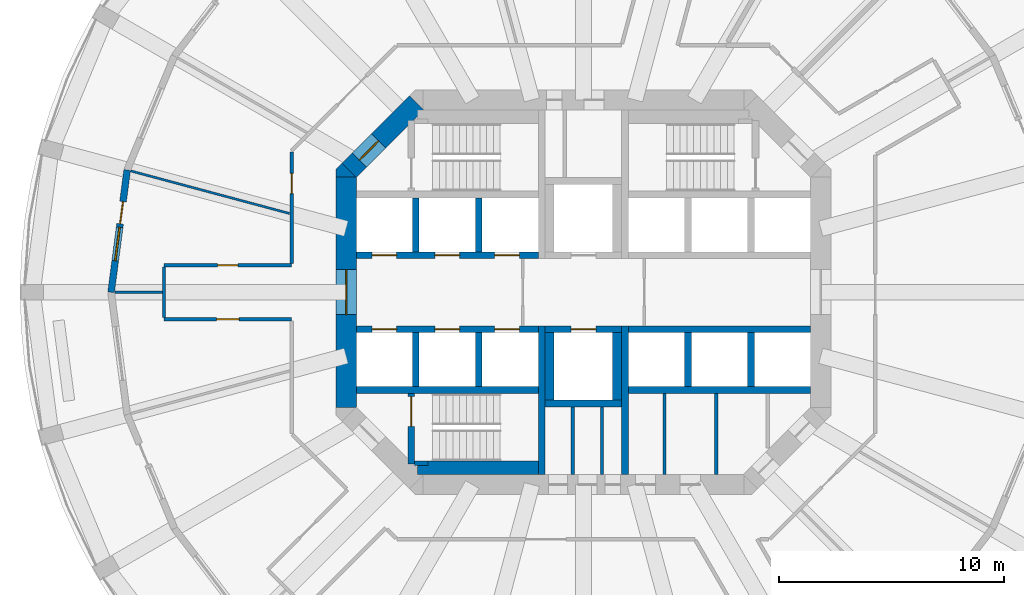
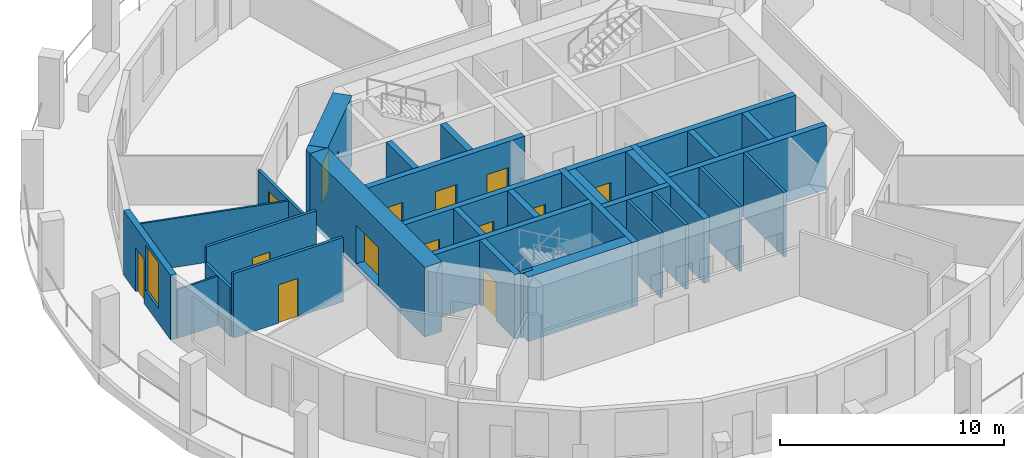
# One storey, part 3 of 8: 34 walls, 14 doors, 1 window, 15 openings.
"""IFC4 building model written with IfcOpenShell, lengths in metres."""

from ifc_helpers import new_model, si_unit, direction, frame, frame_2d, origin, place, context, subcontext, project, spatial, polyline, rectangle, outline, extrude, material, layer, layer_set, type_object, element, fill, save


model = new_model("IFC4")

# Units and contexts
model_context = context("Model", 3, precision=1e-05, world=origin(), true_north=direction((0.0, 1.0)))
body_context = subcontext(model_context, "Body", "Model", "MODEL_VIEW")
ifc_project = project(units=[si_unit("LENGTHUNIT", "METRE"), si_unit("AREAUNIT", "SQUARE_METRE"), si_unit("VOLUMEUNIT", "CUBIC_METRE"), si_unit("PLANEANGLEUNIT", "RADIAN"), si_unit("MASSUNIT", "GRAM", prefix="KILO")], contexts=[model_context])

# Site, building, storey
site_placement = place(None, origin())
site = spatial("IfcSite", under=ifc_project, at=site_placement, CompositionType="ELEMENT")
building_placement = place(site_placement, origin())
building = spatial("IfcBuilding", under=site, at=building_placement, Name="Torre Triforio", CompositionType="ELEMENT")
storey_placement = place(building_placement, frame((0.0, 0.0, 139.0)))
storey = spatial("IfcBuildingStorey", under=building, at=storey_placement, Name="L31", CompositionType="ELEMENT", Elevation=139.0)

# Walls
ifc_material_1 = material(Name="Concrete C60", Category="concrete")
ifc_layer_1 = layer(ifc_material_1, 0.300048828125)
ifc_layer_set_1 = layer_set([ifc_layer_1], Name="Concrete C60")
wall_type_1 = type_object("IfcWallType", Name="Core wall 300 mm C60 EI 120", PredefinedType="SHEAR", material=ifc_layer_set_1)
for number, where, z_axis, x_axis, name in (
    (1, (-1.85009765625, -8.10009765625, 0.0), (0.0, 0.0, 1.0), (0.0, 1.0, 0.0), "Core wall"),
    (2, (1.85009765625, -8.10009765625, 0.0), (0.0, 0.0, 1.0), (0.0, 1.0, 0.0), "Core wall"),
):
    element("IfcWall", number, at=place(storey_placement, frame(where, z_axis=z_axis, x_axis=x_axis)), inside=storey, type_object=wall_type_1, Name=name, PredefinedType="SHEAR", context=body_context, shape_type="SweptSolid", body=[
        extrude(rectangle(XDim=6.60009765625, YDim=0.300048828125, at=frame_2d((3.300048828125, 0.0))), origin(), (0.0, 0.0, 1.0), 3.52001953125),
    ])

# Wall, opening, door
ifc_layer_2 = layer(ifc_material_1, 0.89990234375)
ifc_layer_set_2 = layer_set([ifc_layer_2], Name="Concrete C60")
wall_type_2 = type_object("IfcWallType", Name="Core wall 900 mm C60 EI 120", PredefinedType="SHEAR", material=ifc_layer_set_2)
wall_1_placement = place(storey_placement, frame((-10.550048828125, -5.1298828125, -0.280029296875), z_axis=(0.0, 0.0, 1.0), x_axis=(0.0, 1.0, 0.0)))
wall_1 = element("IfcWall", 3, at=wall_1_placement, inside=storey, type_object=wall_type_2, Name="Core wall", PredefinedType="SHEAR", context=body_context, shape_type="SweptSolid", body=[
    extrude(rectangle(XDim=10.259765625, YDim=0.89990234375, at=frame_2d((5.1298828125, 0.0))), origin(), (0.0, 0.0, 1.0), 3.800048828125),
])
opening_1_placement = place(wall_1_placement, frame((4.1298828125, 0.0, 0.280029296875)))
opening_1 = element("IfcOpeningElement", 4, at=opening_1_placement, cuts=wall_1, Name="Opening W-RING", PredefinedType="OPENING", context=body_context, shape_type="SweptSolid", body=[
    extrude(rectangle(XDim=2.0, YDim=2.10009765625, at=frame_2d((1.0, 1.050048828125))), frame((0.0, 0.4599609375, 0.0), z_axis=(0.0, -1.0, 0.0), x_axis=(1.0, 0.0, 0.0)), (0.0, 0.0, 1.0), 0.919921875),
])
ifc_material_2 = material(Name="Hollow metal fire door leaf")
door_type_1 = type_object("IfcDoorType", Name="Lobby door 2000 x 2100 EI 60", OperationType="DOUBLE_DOOR_SINGLE_SWING", PredefinedType="DOOR", material=ifc_material_2)
door_1_placement = place(opening_1_placement, origin())
door_1 = element("IfcDoor", 5, at=door_1_placement, inside=storey, type_object=door_type_1, Name="Core door W-RING", OperationType="DOUBLE_DOOR_SINGLE_SWING", OverallHeight=2.10009765625, OverallWidth=2.0, PredefinedType="DOOR", context=body_context, shape_type="SweptSolid", body=[
    extrude(rectangle(XDim=2.0, YDim=2.10009765625, at=frame_2d((1.0, 1.050048828125))), frame((0.0, 0.02490234375, 0.0), z_axis=(0.0, -1.0, 0.0), x_axis=(1.0, 0.0, 0.0)), (0.0, 0.0, 1.0), 0.050048828125),
])
fill(opening_1, door_1)

wall_2_placement = place(storey_placement, frame((-10.418212890625, 5.418212890625, -0.280029296875), z_axis=(0.0, 0.0, 1.0), x_axis=(0.707106781187, 0.707106781187, 0.0)))
wall_2 = element("IfcWall", 6, at=wall_2_placement, inside=storey, type_object=wall_type_2, Name="Core wall", PredefinedType="SHEAR", context=body_context, shape_type="SweptSolid", body=[
    extrude(rectangle(XDim=4.24267578125, YDim=0.89990234375, at=frame_2d((2.121337890625, 0.0))), origin(), (0.0, 0.0, 1.0), 3.800048828125),
])
opening_2_placement = place(wall_2_placement, frame((0.64990234375, 0.0, 0.280029296875)))
opening_2 = element("IfcOpeningElement", 7, at=opening_2_placement, cuts=wall_2, Name="Opening ST1-EXIT", PredefinedType="OPENING", context=body_context, shape_type="SweptSolid", body=[
    extrude(rectangle(XDim=1.199951171875, YDim=2.10009765625, at=frame_2d((0.60009765625, 1.050048828125))), frame((0.0, 0.4599609375, 0.0), z_axis=(0.0, -1.0, 0.0), x_axis=(1.0, 0.0, 0.0)), (0.0, 0.0, 1.0), 0.919921875),
])
door_type_2 = type_object("IfcDoorType", Name="Stair lobby door 1200 x 2100 EI 60", OperationType="NOTDEFINED", PredefinedType="DOOR", material=ifc_material_2)
door_2_placement = place(opening_2_placement, origin())
door_2 = element("IfcDoor", 8, at=door_2_placement, inside=storey, type_object=door_type_2, Name="Core door ST1-EXIT", OperationType="SINGLE_SWING_RIGHT", OverallHeight=2.10009765625, OverallWidth=1.199951171875, PredefinedType="DOOR", context=body_context, shape_type="SweptSolid", body=[
    extrude(rectangle(XDim=1.199951171875, YDim=2.10009765625, at=frame_2d((0.60009765625, 1.050048828125))), frame((0.0, 0.02490234375, 0.0), z_axis=(0.0, -1.0, 0.0), x_axis=(1.0, 0.0, 0.0)), (0.0, 0.0, 1.0), 0.050048828125),
])
fill(opening_2, door_2)

# Wall
wall_3_placement = place(storey_placement, frame((0.0, 0.0, -0.280029296875)))
element("IfcWall", 9, at=wall_3_placement, inside=storey, type_object=wall_type_2, Name="Core wall", PredefinedType="SHEAR", context=body_context, shape_type="SweptSolid", body=[
    extrude(outline(polyline([(-10.736328125, 5.736328125), (-10.1298828125, 5.1298828125), (-11.0, 5.1298828125), (-11.0, 5.472900390625), (-10.736328125, 5.736328125)])), origin(), (0.0, 0.0, 1.0), 3.800048828125),
])

# Wall, opening, door
ifc_material_3 = material(Name="Plasterboard on metal studs")
ifc_layer_3 = layer(ifc_material_3, 0.14990234375)
ifc_layer_set_3 = layer_set([ifc_layer_3], Name="Plasterboard on metal studs")
wall_type_3 = type_object("IfcWallType", Name="Corridor and tenancy wall 150 mm EI 60", PredefinedType="PARTITIONING", material=ifc_layer_set_3)
wall_4_placement = place(storey_placement, frame((-12.97509765625, -1.199951171875, 0.0), z_axis=(0.0, 0.0, 1.0), x_axis=(-1.0, 0.0, 0.0)))
wall_4 = element("IfcWall", 10, at=wall_4_placement, inside=storey, type_object=wall_type_3, Name="Partition 4", PredefinedType="PARTITIONING", context=body_context, shape_type="SweptSolid", body=[
    extrude(rectangle(XDim=5.673583984375, YDim=0.14990234375, at=frame_2d((2.8369140625, 0.0))), origin(), (0.0, 0.0, 1.0), 3.52001953125),
])
opening_3_placement = place(wall_4_placement, frame((2.3369140625, 0.0, 0.0)))
opening_3 = element("IfcOpeningElement", 11, at=opening_3_placement, cuts=wall_4, Name="Opening D3-04", PredefinedType="OPENING", context=body_context, shape_type="SweptSolid", body=[
    extrude(rectangle(XDim=1.0, YDim=2.10009765625, at=frame_2d((0.5, 1.050048828125))), frame((0.0, 0.0849609375, 0.0), z_axis=(0.0, -1.0, 0.0), x_axis=(1.0, 0.0, 0.0)), (0.0, 0.0, 1.0), 0.169921875),
])
ifc_material_4 = material(Name="Timber", Category="wood")
door_type_3 = type_object("IfcDoorType", Name="Door 1000 x 2100 single leaf EI 30", OperationType="NOTDEFINED", PredefinedType="DOOR", material=ifc_material_4)
door_3_placement = place(opening_3_placement, origin())
door_3 = element("IfcDoor", 12, at=door_3_placement, inside=storey, type_object=door_type_3, Name="Door D3-04", OperationType="SINGLE_SWING_RIGHT", OverallHeight=2.10009765625, OverallWidth=1.0, PredefinedType="DOOR", context=body_context, shape_type="SweptSolid", body=[
    extrude(rectangle(XDim=1.0, YDim=2.10009765625, at=frame_2d((0.5, 1.050048828125))), frame((0.0, 0.02490234375, 0.0), z_axis=(0.0, -1.0, 0.0), x_axis=(1.0, 0.0, 0.0)), (0.0, 0.0, 1.0), 0.050048828125),
])
fill(opening_3, door_3)

# Wall
wall_5_placement = place(storey_placement, frame((-18.648681640625, -1.125, 0.0), z_axis=(0.0, 0.0, 1.0), x_axis=(0.0, 1.0, 0.0)))
element("IfcWall", 13, at=wall_5_placement, inside=storey, type_object=wall_type_3, Name="Partition 5", PredefinedType="PARTITIONING", context=body_context, shape_type="SweptSolid", body=[
    extrude(rectangle(XDim=2.25, YDim=0.14990234375, at=frame_2d((1.125, 0.0))), origin(), (0.0, 0.0, 1.0), 2.669921875),
])

# Wall, opening, door
wall_6_placement = place(storey_placement, frame((-18.648681640625, 1.199951171875, 0.0), z_axis=(0.0, 0.0, 1.0), x_axis=(1.0, 0.0, 0.0)))
wall_6 = element("IfcWall", 14, at=wall_6_placement, inside=storey, type_object=wall_type_3, Name="Partition 6", PredefinedType="PARTITIONING", context=body_context, shape_type="SweptSolid", body=[
    extrude(rectangle(XDim=5.673583984375, YDim=0.14990234375, at=frame_2d((2.8369140625, 0.0))), origin(), (0.0, 0.0, 1.0), 3.52001953125),
])
opening_4_placement = place(wall_6_placement, frame((2.386962890625, 0.0, 0.0)))
opening_4 = element("IfcOpeningElement", 15, at=opening_4_placement, cuts=wall_6, Name="Opening D3-03", PredefinedType="OPENING", context=body_context, shape_type="SweptSolid", body=[
    extrude(rectangle(XDim=0.89990234375, YDim=2.10009765625, at=frame_2d((0.449951171875, 1.050048828125))), frame((0.0, 0.0849609375, 0.0), z_axis=(0.0, -1.0, 0.0), x_axis=(1.0, 0.0, 0.0)), (0.0, 0.0, 1.0), 0.169921875),
])
door_type_4 = type_object("IfcDoorType", Name="Door 900 x 2100 single leaf EI 30", OperationType="NOTDEFINED", PredefinedType="DOOR", material=ifc_material_4)
door_4_placement = place(opening_4_placement, origin())
door_4 = element("IfcDoor", 16, at=door_4_placement, inside=storey, type_object=door_type_4, Name="Door D3-03", OperationType="SINGLE_SWING_RIGHT", OverallHeight=2.10009765625, OverallWidth=0.89990234375, PredefinedType="DOOR", context=body_context, shape_type="SweptSolid", body=[
    extrude(rectangle(XDim=0.89990234375, YDim=2.10009765625, at=frame_2d((0.449951171875, 1.050048828125))), frame((0.0, 0.02490234375, 0.0), z_axis=(0.0, -1.0, 0.0), x_axis=(1.0, 0.0, 0.0)), (0.0, 0.0, 1.0), 0.050048828125),
])
fill(opening_4, door_4)

wall_7_placement = place(storey_placement, frame((-12.97509765625, 1.27490234375, 0.0), z_axis=(0.0, 0.0, 1.0), x_axis=(0.0, 1.0, 0.0)))
wall_7 = element("IfcWall", 17, at=wall_7_placement, inside=storey, type_object=wall_type_3, Name="Partition 7", PredefinedType="PARTITIONING", context=body_context, shape_type="SweptSolid", body=[
    extrude(rectangle(XDim=4.96337890625, YDim=0.14990234375, at=frame_2d((2.481689453125, 0.0))), origin(), (0.0, 0.0, 1.0), 2.669921875),
])
opening_5_placement = place(wall_7_placement, frame((3.107421875, 0.0, 0.0)))
opening_5 = element("IfcOpeningElement", 18, at=opening_5_placement, cuts=wall_7, Name="Opening D3-02", PredefinedType="OPENING", context=body_context, shape_type="SweptSolid", body=[
    extrude(rectangle(XDim=0.89990234375, YDim=2.10009765625, at=frame_2d((0.449951171875, 1.050048828125))), frame((0.0, 0.0849609375, 0.0), z_axis=(0.0, -1.0, 0.0), x_axis=(1.0, 0.0, 0.0)), (0.0, 0.0, 1.0), 0.169921875),
])
door_5_placement = place(opening_5_placement, origin())
door_5 = element("IfcDoor", 19, at=door_5_placement, inside=storey, type_object=door_type_4, Name="Door D3-02", OperationType="SINGLE_SWING_LEFT", OverallHeight=2.10009765625, OverallWidth=0.89990234375, PredefinedType="DOOR", context=body_context, shape_type="SweptSolid", body=[
    extrude(rectangle(XDim=0.89990234375, YDim=2.10009765625, at=frame_2d((0.449951171875, 1.050048828125))), frame((0.0, 0.02490234375, 0.0), z_axis=(0.0, -1.0, 0.0), x_axis=(1.0, 0.0, 0.0)), (0.0, 0.0, 1.0), 0.050048828125),
])
fill(opening_5, door_5)

# Walls
ifc_layer_4 = layer(ifc_material_3, 0.10009765625)
ifc_layer_set_4 = layer_set([ifc_layer_4], Name="Plasterboard on metal studs")
wall_type_4 = type_object("IfcWallType", Name="Partition 100 mm board on metal studs", PredefinedType="PARTITIONING", material=ifc_layer_set_4)
wall_8_placement = place(storey_placement, frame((-13.064208984375, 3.50048828125, 0.0), z_axis=(0.0, 0.0, 1.0), x_axis=(-0.965927781613, 0.258811747624, 0.0)))
element("IfcWall", 20, at=wall_8_placement, inside=storey, type_object=wall_type_4, Name="Partition 36", PredefinedType="PARTITIONING", context=body_context, shape_type="SweptSolid", body=[
    extrude(rectangle(XDim=7.3115234375, YDim=0.10009765625, at=frame_2d((3.65576171875, 0.0))), origin(), (0.0, 0.0, 1.0), 2.669921875),
])
wall_9_placement = place(storey_placement, frame((-18.7236328125, 0.0, 0.0), z_axis=(0.0, 0.0, 1.0), x_axis=(-1.0, 0.0, 0.0)))
element("IfcWall", 21, at=wall_9_placement, inside=storey, type_object=wall_type_4, Name="Partition 37", PredefinedType="PARTITIONING", context=body_context, shape_type="SweptSolid", body=[
    extrude(rectangle(XDim=2.113037109375, YDim=0.10009765625, at=frame_2d((1.056640625, 0.0))), origin(), (0.0, 0.0, 1.0), 2.669921875),
])
ifc_material_5 = material(Name="Block and board partition")
ifc_layer_5 = layer(ifc_material_5, 0.14990234375)
ifc_layer_set_5 = layer_set([ifc_layer_5], Name="Block and board partition")
wall_type_5 = type_object("IfcWallType", Name="Partition 150 mm", PredefinedType="PARTITIONING", material=ifc_layer_set_5)
wall_10_placement = place(storey_placement, frame((-0.47509765625, -8.10009765625, 0.0), z_axis=(0.0, 0.0, 1.0), x_axis=(0.0, 1.0, 0.0)))
element("IfcWall", 22, at=wall_10_placement, inside=storey, type_object=wall_type_5, Name="Partition", PredefinedType="PARTITIONING", context=body_context, shape_type="SweptSolid", body=[
    extrude(rectangle(XDim=3.0, YDim=0.14990234375, at=frame_2d((1.5, 0.0))), origin(), (0.0, 0.0, 1.0), 3.52001953125),
])
for number, where, z_axis, x_axis, name in (
    (23, (3.60498046875, -8.10009765625, 0.0), (0.0, 0.0, 1.0), (0.0, 1.0, 0.0), "Partition"),
    (24, (5.89697265625, -8.10009765625, 0.0), (0.0, 0.0, 1.0), (0.0, 1.0, 0.0), "Partition"),
):
    element("IfcWall", number, at=place(storey_placement, frame(where, z_axis=z_axis, x_axis=x_axis)), inside=storey, type_object=wall_type_5, Name=name, PredefinedType="PARTITIONING", context=body_context, shape_type="SweptSolid", body=[
        extrude(rectangle(XDim=3.60009765625, YDim=0.14990234375, at=frame_2d((1.800048828125, 0.0))), origin(), (0.0, 0.0, 1.0), 3.52001953125),
    ])
ifc_layer_6 = layer(ifc_material_5, 0.14990234375)
ifc_layer_set_6 = layer_set([ifc_layer_6], Name="Block and board partition")
wall_type_6 = type_object("IfcWallType", Name="Partition 150 mm EI 120", PredefinedType="PARTITIONING", material=ifc_layer_set_6)
wall_11_placement = place(storey_placement, frame((0.824951171875, -8.10009765625, 0.0), z_axis=(0.0, 0.0, 1.0), x_axis=(0.0, 1.0, 0.0)))
element("IfcWall", 25, at=wall_11_placement, inside=storey, type_object=wall_type_6, Name="Partition", PredefinedType="PARTITIONING", context=body_context, shape_type="SweptSolid", body=[
    extrude(rectangle(XDim=3.0, YDim=0.14990234375, at=frame_2d((1.5, 0.0))), origin(), (0.0, 0.0, 1.0), 3.52001953125),
])
ifc_layer_7 = layer(ifc_material_1, 0.300048828125)
ifc_layer_set_7 = layer_set([ifc_layer_7], Name="Concrete C60")
wall_type_7 = type_object("IfcWallType", Name="Shaft wall 300 mm C60 EI 120", PredefinedType="SOLIDWALL", material=ifc_layer_set_7)
for number, where, z_axis, x_axis, name in (
    (26, (-10.10009765625, -4.35009765625, 0.0), (0.0, 0.0, 1.0), (1.0, 0.0, 0.0), "Shaft wall"),
    (27, (2.0, -4.35009765625, 0.0), (0.0, 0.0, 1.0), (1.0, 0.0, 0.0), "Shaft wall"),
):
    element("IfcWall", number, at=place(storey_placement, frame(where, z_axis=z_axis, x_axis=x_axis)), inside=storey, type_object=wall_type_7, Name=name, PredefinedType="SOLIDWALL", context=body_context, shape_type="SweptSolid", body=[
        extrude(rectangle(XDim=8.10009765625, YDim=0.300048828125, at=frame_2d((4.050048828125, 0.0))), origin(), (0.0, 0.0, 1.0), 3.52001953125),
    ])

# Wall, openings, doors
wall_12_placement = place(storey_placement, frame((-10.10009765625, 1.64990234375, 0.0), z_axis=(0.0, 0.0, 1.0), x_axis=(1.0, 0.0, 0.0)))
wall_12 = element("IfcWall", 28, at=wall_12_placement, inside=storey, type_object=wall_type_7, Name="Shaft wall", PredefinedType="SOLIDWALL", context=body_context, shape_type="SweptSolid", body=[
    extrude(rectangle(XDim=8.10009765625, YDim=0.300048828125, at=frame_2d((4.050048828125, 0.0))), origin(), (0.0, 0.0, 1.0), 3.52001953125),
])
opening_6_placement = place(wall_12_placement, frame((0.699951171875, 0.0, 0.0)))
opening_6 = element("IfcOpeningElement", 29, at=opening_6_placement, cuts=wall_12, Name="Opening LD", PredefinedType="OPENING", context=body_context, shape_type="SweptSolid", body=[
    extrude(rectangle(XDim=1.10009765625, YDim=2.10009765625, at=frame_2d((0.550048828125, 1.050048828125))), frame((0.0, 0.159912109375, 0.0), z_axis=(0.0, -1.0, 0.0), x_axis=(1.0, 0.0, 0.0)), (0.0, 0.0, 1.0), 0.320068359375),
])
opening_7_placement = place(wall_12_placement, frame((3.5, 0.0, 0.0)))
opening_7 = element("IfcOpeningElement", 30, at=opening_7_placement, cuts=wall_12, Name="Opening LD", PredefinedType="OPENING", context=body_context, shape_type="SweptSolid", body=[
    extrude(rectangle(XDim=1.10009765625, YDim=2.10009765625, at=frame_2d((0.550048828125, 1.050048828125))), frame((0.0, 0.159912109375, 0.0), z_axis=(0.0, -1.0, 0.0), x_axis=(1.0, 0.0, 0.0)), (0.0, 0.0, 1.0), 0.320068359375),
])
opening_8_placement = place(wall_12_placement, frame((6.14990234375, 0.0, 0.0)))
opening_8 = element("IfcOpeningElement", 31, at=opening_8_placement, cuts=wall_12, Name="Opening LD", PredefinedType="OPENING", context=body_context, shape_type="SweptSolid", body=[
    extrude(rectangle(XDim=1.10009765625, YDim=2.10009765625, at=frame_2d((0.550048828125, 1.050048828125))), frame((0.0, 0.159912109375, 0.0), z_axis=(0.0, -1.0, 0.0), x_axis=(1.0, 0.0, 0.0)), (0.0, 0.0, 1.0), 0.320068359375),
])
door_type_5 = type_object("IfcDoorType", Name="Landing door 1100 x 2100 EI 60", OperationType="DOUBLE_DOOR_SLIDING", PredefinedType="DOOR", material=ifc_material_2)
door_6_placement = place(opening_6_placement, origin())
door_6 = element("IfcDoor", 32, at=door_6_placement, inside=storey, type_object=door_type_5, Name="Landing door LR1", OperationType="DOUBLE_DOOR_SLIDING", OverallHeight=2.10009765625, OverallWidth=1.10009765625, PredefinedType="DOOR", context=body_context, shape_type="SweptSolid", body=[
    extrude(rectangle(XDim=1.10009765625, YDim=2.10009765625, at=frame_2d((0.550048828125, 1.050048828125))), frame((0.0, 0.02490234375, 0.0), z_axis=(0.0, -1.0, 0.0), x_axis=(1.0, 0.0, 0.0)), (0.0, 0.0, 1.0), 0.050048828125),
])
fill(opening_6, door_6)
door_7_placement = place(opening_7_placement, origin())
door_7 = element("IfcDoor", 33, at=door_7_placement, inside=storey, type_object=door_type_5, Name="Landing door LR2", OperationType="DOUBLE_DOOR_SLIDING", OverallHeight=2.10009765625, OverallWidth=1.10009765625, PredefinedType="DOOR", context=body_context, shape_type="SweptSolid", body=[
    extrude(rectangle(XDim=1.10009765625, YDim=2.10009765625, at=frame_2d((0.550048828125, 1.050048828125))), frame((0.0, 0.02490234375, 0.0), z_axis=(0.0, -1.0, 0.0), x_axis=(1.0, 0.0, 0.0)), (0.0, 0.0, 1.0), 0.050048828125),
])
fill(opening_7, door_7)
door_8_placement = place(opening_8_placement, origin())
door_8 = element("IfcDoor", 34, at=door_8_placement, inside=storey, type_object=door_type_5, Name="Landing door LR3", OperationType="DOUBLE_DOOR_SLIDING", OverallHeight=2.10009765625, OverallWidth=1.10009765625, PredefinedType="DOOR", context=body_context, shape_type="SweptSolid", body=[
    extrude(rectangle(XDim=1.10009765625, YDim=2.10009765625, at=frame_2d((0.550048828125, 1.050048828125))), frame((0.0, 0.02490234375, 0.0), z_axis=(0.0, -1.0, 0.0), x_axis=(1.0, 0.0, 0.0)), (0.0, 0.0, 1.0), 0.050048828125),
])
fill(opening_8, door_8)

wall_13_placement = place(storey_placement, frame((-10.10009765625, -1.64990234375, 0.0), z_axis=(0.0, 0.0, 1.0), x_axis=(1.0, 0.0, 0.0)))
wall_13 = element("IfcWall", 35, at=wall_13_placement, inside=storey, type_object=wall_type_7, Name="Shaft wall", PredefinedType="SOLIDWALL", context=body_context, shape_type="SweptSolid", body=[
    extrude(rectangle(XDim=8.10009765625, YDim=0.300048828125, at=frame_2d((4.050048828125, 0.0))), origin(), (0.0, 0.0, 1.0), 3.52001953125),
])
opening_9_placement = place(wall_13_placement, frame((0.699951171875, 0.0, 0.0)))
opening_9 = element("IfcOpeningElement", 36, at=opening_9_placement, cuts=wall_13, Name="Opening LD", PredefinedType="OPENING", context=body_context, shape_type="SweptSolid", body=[
    extrude(rectangle(XDim=1.10009765625, YDim=2.10009765625, at=frame_2d((0.550048828125, 1.050048828125))), frame((0.0, 0.159912109375, 0.0), z_axis=(0.0, -1.0, 0.0), x_axis=(1.0, 0.0, 0.0)), (0.0, 0.0, 1.0), 0.320068359375),
])
opening_10_placement = place(wall_13_placement, frame((3.5, 0.0, 0.0)))
opening_10 = element("IfcOpeningElement", 37, at=opening_10_placement, cuts=wall_13, Name="Opening LD", PredefinedType="OPENING", context=body_context, shape_type="SweptSolid", body=[
    extrude(rectangle(XDim=1.10009765625, YDim=2.10009765625, at=frame_2d((0.550048828125, 1.050048828125))), frame((0.0, 0.159912109375, 0.0), z_axis=(0.0, -1.0, 0.0), x_axis=(1.0, 0.0, 0.0)), (0.0, 0.0, 1.0), 0.320068359375),
])
opening_11_placement = place(wall_13_placement, frame((6.14990234375, 0.0, 0.0)))
opening_11 = element("IfcOpeningElement", 38, at=opening_11_placement, cuts=wall_13, Name="Opening LD", PredefinedType="OPENING", context=body_context, shape_type="SweptSolid", body=[
    extrude(rectangle(XDim=1.10009765625, YDim=2.10009765625, at=frame_2d((0.550048828125, 1.050048828125))), frame((0.0, 0.159912109375, 0.0), z_axis=(0.0, -1.0, 0.0), x_axis=(1.0, 0.0, 0.0)), (0.0, 0.0, 1.0), 0.320068359375),
])
door_9_placement = place(opening_9_placement, origin())
door_9 = element("IfcDoor", 39, at=door_9_placement, inside=storey, type_object=door_type_5, Name="Landing door LR4", OperationType="DOUBLE_DOOR_SLIDING", OverallHeight=2.10009765625, OverallWidth=1.10009765625, PredefinedType="DOOR", context=body_context, shape_type="SweptSolid", body=[
    extrude(rectangle(XDim=1.10009765625, YDim=2.10009765625, at=frame_2d((0.550048828125, 1.050048828125))), frame((0.0, 0.02490234375, 0.0), z_axis=(0.0, -1.0, 0.0), x_axis=(1.0, 0.0, 0.0)), (0.0, 0.0, 1.0), 0.050048828125),
])
fill(opening_9, door_9)
door_10_placement = place(opening_10_placement, origin())
door_10 = element("IfcDoor", 40, at=door_10_placement, inside=storey, type_object=door_type_5, Name="Landing door LR5", OperationType="DOUBLE_DOOR_SLIDING", OverallHeight=2.10009765625, OverallWidth=1.10009765625, PredefinedType="DOOR", context=body_context, shape_type="SweptSolid", body=[
    extrude(rectangle(XDim=1.10009765625, YDim=2.10009765625, at=frame_2d((0.550048828125, 1.050048828125))), frame((0.0, 0.02490234375, 0.0), z_axis=(0.0, -1.0, 0.0), x_axis=(1.0, 0.0, 0.0)), (0.0, 0.0, 1.0), 0.050048828125),
])
fill(opening_10, door_10)
door_11_placement = place(opening_11_placement, origin())
door_11 = element("IfcDoor", 41, at=door_11_placement, inside=storey, type_object=door_type_5, Name="Landing door LR6", OperationType="DOUBLE_DOOR_SLIDING", OverallHeight=2.10009765625, OverallWidth=1.10009765625, PredefinedType="DOOR", context=body_context, shape_type="SweptSolid", body=[
    extrude(rectangle(XDim=1.10009765625, YDim=2.10009765625, at=frame_2d((0.550048828125, 1.050048828125))), frame((0.0, 0.02490234375, 0.0), z_axis=(0.0, -1.0, 0.0), x_axis=(1.0, 0.0, 0.0)), (0.0, 0.0, 1.0), 0.050048828125),
])
fill(opening_11, door_11)

# Walls
wall_14_placement = place(storey_placement, frame((2.0, -1.64990234375, 0.0), z_axis=(0.0, 0.0, 1.0), x_axis=(1.0, 0.0, 0.0)))
element("IfcWall", 42, at=wall_14_placement, inside=storey, type_object=wall_type_7, Name="Shaft wall", PredefinedType="SOLIDWALL", context=body_context, shape_type="SweptSolid", body=[
    extrude(rectangle(XDim=8.10009765625, YDim=0.300048828125, at=frame_2d((4.050048828125, 0.0))), origin(), (0.0, 0.0, 1.0), 3.52001953125),
])
for number, where, z_axis, x_axis, name in (
    (43, (-7.449951171875, 1.800048828125, 0.0), (0.0, 0.0, 1.0), (0.0, 1.0, 0.0), "Shaft wall"),
    (44, (-7.449951171875, -4.199951171875, 0.0), (0.0, 0.0, 1.0), (0.0, 1.0, 0.0), "Shaft wall"),
    (45, (-4.64990234375, 1.800048828125, 0.0), (0.0, 0.0, 1.0), (0.0, 1.0, 0.0), "Shaft wall"),
    (46, (-4.64990234375, -4.199951171875, 0.0), (0.0, 0.0, 1.0), (0.0, 1.0, 0.0), "Shaft wall"),
    (47, (4.64990234375, -4.199951171875, 0.0), (0.0, 0.0, 1.0), (0.0, 1.0, 0.0), "Shaft wall"),
    (48, (7.449951171875, -4.199951171875, 0.0), (0.0, 0.0, 1.0), (0.0, 1.0, 0.0), "Shaft wall"),
):
    element("IfcWall", number, at=place(storey_placement, frame(where, z_axis=z_axis, x_axis=x_axis)), inside=storey, type_object=wall_type_7, Name=name, PredefinedType="SOLIDWALL", context=body_context, shape_type="SweptSolid", body=[
        extrude(rectangle(XDim=2.39990234375, YDim=0.300048828125, at=frame_2d((1.199951171875, 0.0))), origin(), (0.0, 0.0, 1.0), 3.52001953125),
    ])

# Wall, opening, door
wall_15_placement = place(storey_placement, frame((-1.699951171875, -1.64990234375, 0.0), z_axis=(0.0, 0.0, 1.0), x_axis=(1.0, 0.0, 0.0)))
wall_15 = element("IfcWall", 49, at=wall_15_placement, inside=storey, type_object=wall_type_7, Name="Shaft wall", PredefinedType="SOLIDWALL", context=body_context, shape_type="SweptSolid", body=[
    extrude(rectangle(XDim=3.39990234375, YDim=0.300048828125, at=frame_2d((1.699951171875, 0.0))), origin(), (0.0, 0.0, 1.0), 3.52001953125),
])
opening_12_placement = place(wall_15_placement, frame((1.14990234375, 0.0, 0.0)))
opening_12 = element("IfcOpeningElement", 50, at=opening_12_placement, cuts=wall_15, Name="Opening LD", PredefinedType="OPENING", context=body_context, shape_type="SweptSolid", body=[
    extrude(rectangle(XDim=1.10009765625, YDim=2.10009765625, at=frame_2d((0.550048828125, 1.050048828125))), frame((0.0, 0.159912109375, 0.0), z_axis=(0.0, -1.0, 0.0), x_axis=(1.0, 0.0, 0.0)), (0.0, 0.0, 1.0), 0.320068359375),
])
door_12_placement = place(opening_12_placement, origin())
door_12 = element("IfcDoor", 51, at=door_12_placement, inside=storey, type_object=door_type_5, Name="Landing door FFL2", OperationType="DOUBLE_DOOR_SLIDING", OverallHeight=2.10009765625, OverallWidth=1.10009765625, PredefinedType="DOOR", context=body_context, shape_type="SweptSolid", body=[
    extrude(rectangle(XDim=1.10009765625, YDim=2.10009765625, at=frame_2d((0.550048828125, 1.050048828125))), frame((0.0, 0.02490234375, 0.0), z_axis=(0.0, -1.0, 0.0), x_axis=(1.0, 0.0, 0.0)), (0.0, 0.0, 1.0), 0.050048828125),
])
fill(opening_12, door_12)

# Walls
wall_16_placement = place(storey_placement, frame((-1.699951171875, -4.949951171875, 0.0), z_axis=(0.0, 0.0, 1.0), x_axis=(1.0, 0.0, 0.0)))
element("IfcWall", 52, at=wall_16_placement, inside=storey, type_object=wall_type_7, Name="Shaft wall", PredefinedType="SOLIDWALL", context=body_context, shape_type="SweptSolid", body=[
    extrude(rectangle(XDim=3.39990234375, YDim=0.300048828125, at=frame_2d((1.699951171875, 0.0))), origin(), (0.0, 0.0, 1.0), 3.52001953125),
])
ifc_layer_8 = layer(ifc_material_1, 0.39990234375)
ifc_layer_set_8 = layer_set([ifc_layer_8], Name="Concrete C60")
wall_type_8 = type_object("IfcWallType", Name="Shaft wall 400 mm C60 EI 120", PredefinedType="SOLIDWALL", material=ifc_layer_set_8)
for number, where, z_axis, x_axis, name in (
    (53, (-1.5, -4.800048828125, 0.0), (0.0, 0.0, 1.0), (0.0, 1.0, 0.0), "Shaft wall"),
    (54, (1.5, -4.800048828125, 0.0), (0.0, 0.0, 1.0), (0.0, 1.0, 0.0), "Shaft wall"),
):
    element("IfcWall", number, at=place(storey_placement, frame(where, z_axis=z_axis, x_axis=x_axis)), inside=storey, type_object=wall_type_8, Name=name, PredefinedType="SOLIDWALL", context=body_context, shape_type="SweptSolid", body=[
        extrude(rectangle(XDim=3.0, YDim=0.39990234375, at=frame_2d((1.5, 0.0))), origin(), (0.0, 0.0, 1.0), 3.52001953125),
    ])
ifc_layer_9 = layer(ifc_material_1, 0.199951171875)
ifc_layer_set_9 = layer_set([ifc_layer_9], Name="Concrete C60")
wall_type_9 = type_object("IfcWallType", Name="Stair wall 200 mm C60 EI 120", PredefinedType="SHEAR", material=ifc_layer_set_9)
wall_17_placement = place(storey_placement, frame((-7.5, -7.60009765625, 0.0), z_axis=(0.0, 0.0, 1.0), x_axis=(1.0, 0.0, 0.0)))
element("IfcWall", 55, at=wall_17_placement, inside=storey, type_object=wall_type_9, Name="Stair wall", PredefinedType="SHEAR", context=body_context, shape_type="SweptSolid", body=[
    extrude(rectangle(XDim=0.60009765625, YDim=0.199951171875, at=frame_2d((0.300048828125, 0.0))), origin(), (0.0, 0.0, 1.0), 3.52001953125),
])

# Wall, opening, door
ifc_layer_10 = layer(ifc_material_1, 0.300048828125)
ifc_layer_set_10 = layer_set([ifc_layer_10], Name="Concrete C60")
wall_type_10 = type_object("IfcWallType", Name="Stair wall 300 mm C60 EI 120", PredefinedType="SHEAR", material=ifc_layer_set_10)
wall_18_placement = place(storey_placement, frame((-7.64990234375, -7.639892578125, 0.0), z_axis=(0.0, 0.0, 1.0), x_axis=(0.0, 1.0, 0.0)))
wall_18 = element("IfcWall", 56, at=wall_18_placement, inside=storey, type_object=wall_type_10, Name="Stair wall", PredefinedType="SHEAR", context=body_context, shape_type="SweptSolid", body=[
    extrude(rectangle(XDim=3.139892578125, YDim=0.300048828125, at=frame_2d((1.56982421875, 0.0))), origin(), (0.0, 0.0, 1.0), 3.52001953125),
])
opening_13_placement = place(wall_18_placement, frame((1.679931640625, 0.0, 0.0)))
opening_13 = element("IfcOpeningElement", 57, at=opening_13_placement, cuts=wall_18, Name="Opening ST3-STA", PredefinedType="OPENING", context=body_context, shape_type="SweptSolid", body=[
    extrude(rectangle(XDim=1.320068359375, YDim=2.10009765625, at=frame_2d((0.66015625, 1.050048828125))), frame((0.0, 0.159912109375, 0.0), z_axis=(0.0, -1.0, 0.0), x_axis=(1.0, 0.0, 0.0)), (0.0, 0.0, 1.0), 0.320068359375),
])
door_type_6 = type_object("IfcDoorType", Name="Stair door 1320 x 2100 EI 90", OperationType="DOUBLE_DOOR_SINGLE_SWING", PredefinedType="DOOR", material=ifc_material_2)
door_13_placement = place(opening_13_placement, origin())
door_13 = element("IfcDoor", 58, at=door_13_placement, inside=storey, type_object=door_type_6, Name="Core door ST3-ST", OperationType="DOUBLE_DOOR_SINGLE_SWING", OverallHeight=2.10009765625, OverallWidth=1.320068359375, PredefinedType="DOOR", context=body_context, shape_type="SweptSolid", body=[
    extrude(rectangle(XDim=1.320068359375, YDim=2.10009765625, at=frame_2d((0.66015625, 1.050048828125))), frame((0.0, 0.02490234375, 0.0), z_axis=(0.0, -1.0, 0.0), x_axis=(1.0, 0.0, 0.0)), (0.0, 0.0, 1.0), 0.050048828125),
])
fill(opening_13, door_13)

# Wall
ifc_layer_11 = layer(ifc_material_1, 0.60009765625)
ifc_layer_set_11 = layer_set([ifc_layer_11], Name="Concrete C60")
wall_type_11 = type_object("IfcWallType", Name="Stair wall 600 mm C60 EI 120", PredefinedType="SHEAR", material=ifc_layer_set_11)
wall_19_placement = place(storey_placement, frame((-7.3701171875, -7.800048828125, 0.0), z_axis=(0.0, 0.0, 1.0), x_axis=(1.0, 0.0, 0.0)))
element("IfcWall", 59, at=wall_19_placement, inside=storey, type_object=wall_type_11, Name="Stair wall", PredefinedType="SHEAR", context=body_context, shape_type="SweptSolid", body=[
    extrude(rectangle(XDim=5.3701171875, YDim=0.60009765625, at=frame_2d((2.68505859375, 0.0))), origin(), (0.0, 0.0, 1.0), 3.52001953125),
])

# Wall, openings, door, window
ifc_material_6 = material(Name="Limestone cladding", Category="masonry")
ifc_layer_12 = layer(ifc_material_6, 0.10009765625)
ifc_material_7 = material(Name="Concrete C40", Category="concrete")
ifc_layer_13 = layer(ifc_material_7, 0.199951171875)
ifc_layer_set_12 = layer_set([ifc_layer_12, ifc_layer_13], Name="Limestone cladding / Concrete C40")
wall_type_12 = type_object("IfcWallType", Name="Stone-faced composite wall 300", PredefinedType="STANDARD", material=ifc_layer_set_12)
wall_20_placement = place(storey_placement, frame((-20.284423828125, 5.435302734375, 0.0), z_axis=(0.0, 0.0, 1.0), x_axis=(-0.130527087244, -0.991444743541, 0.0)))
wall_20 = element("IfcWall", 60, at=wall_20_placement, inside=storey, type_object=wall_type_12, Name="External wall L31 bay 12", PredefinedType="STANDARD", context=body_context, shape_type="SweptSolid", body=[
    extrude(rectangle(XDim=5.482177734375, YDim=0.300048828125, at=frame_2d((2.7412109375, 0.0))), origin(), (0.0, 0.0, 1.0), 3.52001953125),
])
opening_14_placement = place(wall_20_placement, frame((1.416015625, 0.0, 0.0)))
opening_14 = element("IfcOpeningElement", 61, at=opening_14_placement, cuts=wall_20, Name="Opening D3-D12", PredefinedType="OPENING", context=body_context, shape_type="SweptSolid", body=[
    extrude(rectangle(XDim=1.0, YDim=2.39990234375, at=frame_2d((0.5, 1.199951171875))), frame((0.0, 0.159912109375, 0.0), z_axis=(0.0, -1.0, 0.0), x_axis=(1.0, 0.0, 0.0)), (0.0, 0.0, 1.0), 0.320068359375),
])
opening_15_placement = place(wall_20_placement, frame((2.566162109375, 0.0, 0.800048828125)))
opening_15 = element("IfcOpeningElement", 62, at=opening_15_placement, cuts=wall_20, Name="Opening D3-W12A", PredefinedType="OPENING", context=body_context, shape_type="SweptSolid", body=[
    extrude(rectangle(XDim=1.5, YDim=2.5, at=frame_2d((0.75, 1.25))), frame((0.0, 0.159912109375, 0.0), z_axis=(0.0, -1.0, 0.0), x_axis=(1.0, 0.0, 0.0)), (0.0, 0.0, 1.0), 0.320068359375),
])
ifc_material_8 = material(Name="Aluminium frame with clear double glazing", Category="aluminium")
door_type_7 = type_object("IfcDoorType", Name="Loggia door 1000 x 2400", OperationType="NOTDEFINED", PredefinedType="DOOR", material=ifc_material_8)
door_14_placement = place(opening_14_placement, origin())
door_14 = element("IfcDoor", 63, at=door_14_placement, inside=storey, type_object=door_type_7, Name="Loggia door L31 bay 12", OperationType="SINGLE_SWING_RIGHT", OverallHeight=2.39990234375, OverallWidth=1.0, PredefinedType="DOOR", context=body_context, shape_type="SweptSolid", body=[
    extrude(rectangle(XDim=1.0, YDim=2.39990234375, at=frame_2d((0.5, 1.199951171875))), frame((0.0, 0.02490234375, 0.0), z_axis=(0.0, -1.0, 0.0), x_axis=(1.0, 0.0, 0.0)), (0.0, 0.0, 1.0), 0.050048828125),
])
fill(opening_14, door_14)
window_type = type_object("IfcWindowType", Name="Side window 1500 x 2500", PartitioningType="SINGLE_PANEL", PredefinedType="WINDOW", material=ifc_material_8)
window_placement = place(opening_15_placement, origin())
window = element("IfcWindow", 64, at=window_placement, inside=storey, type_object=window_type, Name="Side window EWN13 L31 bay 12", OverallHeight=2.5, OverallWidth=1.5, PartitioningType="SINGLE_PANEL", PredefinedType="WINDOW", context=body_context, shape_type="SweptSolid", body=[
    extrude(rectangle(XDim=1.5, YDim=2.5, at=frame_2d((0.75, 1.25))), frame((0.0, 0.030029296875, 0.0), z_axis=(0.0, -1.0, 0.0), x_axis=(1.0, 0.0, 0.0)), (0.0, 0.0, 1.0), 0.06005859375),
])
fill(opening_15, window)

save(model, "model.ifc")
